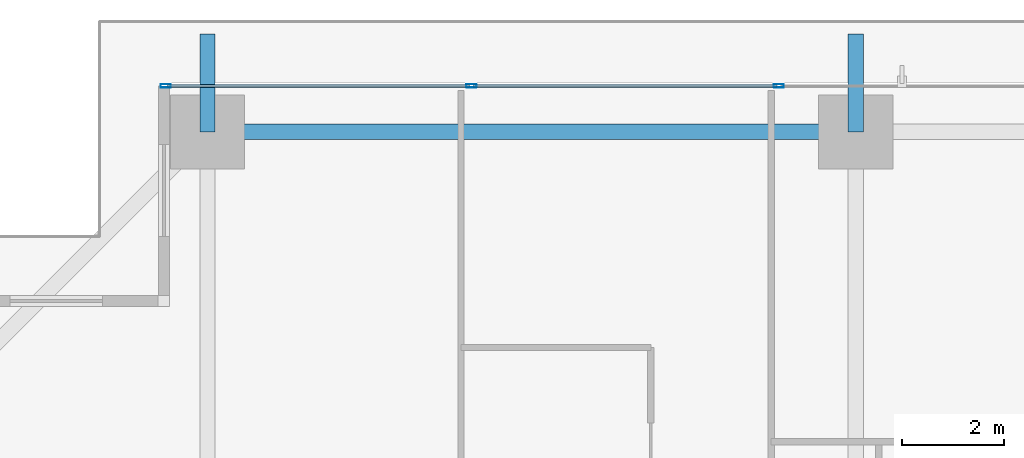
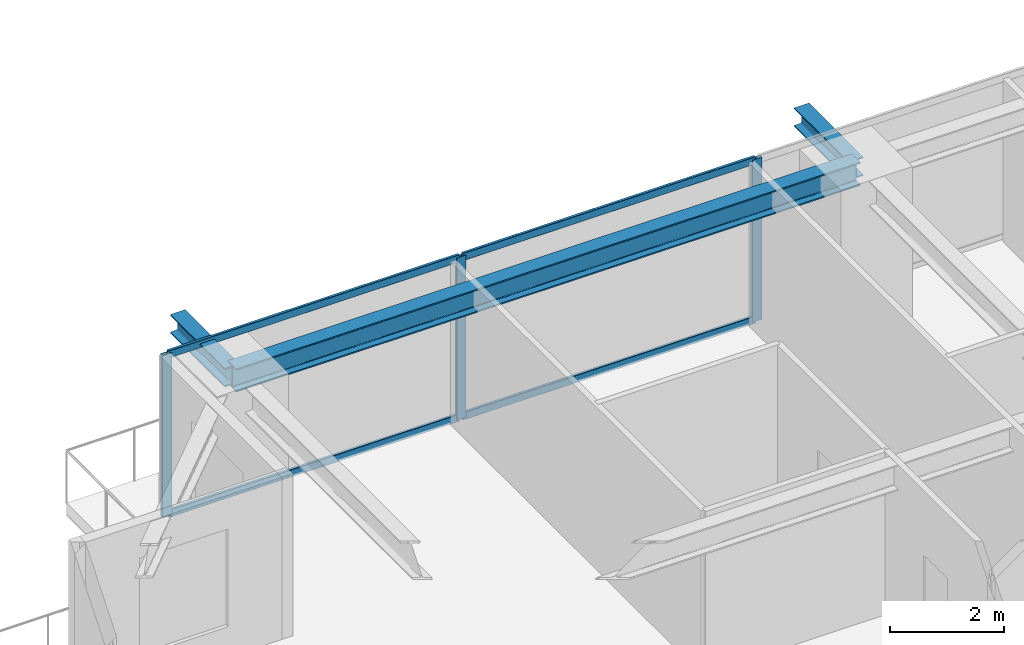
# One storey, part 20 of 41: 7 members, 3 beams, 1 element without a shape of its own.
"""IFC4 building model written with IfcOpenShell, lengths in metres."""

import ifcopenshell
import ifcopenshell.guid

model = None  # the IFC model being written
_history = None  # IfcOwnerHistory: only IFC2X3 demands one
_inside = {}  # id of a spatial element -> (the spatial element, [elements in it])
_under = {}  # id of a project, library or spatial element -> (it, [spatial elements below it])
_declared = {}  # id of a project -> (the project, [libraries it declares])
_typed = {}  # id of a type object -> (the type object, [elements of that type])
_made_of = {}  # id of a material, layer set ... -> (it, [elements and type objects made of it])


def new_model(schema):
    """Start an empty IFC model of exactly this schema.

    Asked for "IFC4X3", IfcOpenShell would pick the latest addendum, in which some entities
    have other attributes; the version numbers below select the first issue.
    IFC2X3 requires an IfcOwnerHistory on every rooted entity: one is made here for all.
    """
    global model, _history
    if schema == "IFC4X3":
        model = ifcopenshell.file(schema_version=(4, 3, 0, 0))
    else:
        model = ifcopenshell.file(schema=schema)
    _inside.clear()
    _under.clear()
    _declared.clear()
    _typed.clear()
    _made_of.clear()
    _history = None
    if model.schema == "IFC2X3":
        org = make("IfcOrganization", Name="unknown")
        user = make(
            "IfcPersonAndOrganization",
            ThePerson=make("IfcPerson", FamilyName="unknown"),
            TheOrganization=org,
        )
        app = make(
            "IfcApplication",
            ApplicationDeveloper=org,
            Version="unknown",
            ApplicationFullName="unknown",
            ApplicationIdentifier="unknown",
        )
        _history = make(
            "IfcOwnerHistory",
            OwningUser=user,
            OwningApplication=app,
            ChangeAction="ADDED",
            CreationDate=0,
        )
    return model


def make(cls, **values):
    """One entity of the class cls with the attributes given. An attribute that is None is left unset."""
    return model.create_entity(
        cls, **{name: value for name, value in values.items() if value is not None}
    )


def rooted(cls, **values):
    """An entity with a GlobalId (a new one), such as an element, a storey or a relation."""
    return make(cls, GlobalId=ifcopenshell.guid.new(), OwnerHistory=_history, **values)


def si_unit(unit_type, name, prefix=None):
    """IfcSIUnit, for example si_unit("LENGTHUNIT", "METRE", prefix="MILLI")."""
    return make("IfcSIUnit", UnitType=unit_type, Prefix=prefix, Name=name)


def assignment(units):
    """IfcUnitAssignment: the units of a project."""
    return None if units is None else make("IfcUnitAssignment", Units=units)


def point(xyz):
    """IfcCartesianPoint."""
    return None if xyz is None else make("IfcCartesianPoint", Coordinates=xyz)


def direction(xyz):
    """IfcDirection."""
    return None if xyz is None else make("IfcDirection", DirectionRatios=xyz)


def frame(location, z_axis=None, x_axis=None):
    """IfcAxis2Placement3D, a coordinate frame: its origin and axes. An axis left out is left unset."""
    return make(
        "IfcAxis2Placement3D",
        Location=point(location),
        Axis=direction(z_axis),
        RefDirection=direction(x_axis),
    )


def frame_2d(location, x_axis=None):
    """IfcAxis2Placement2D, a coordinate frame in the plane: its origin and x axis."""
    return make(
        "IfcAxis2Placement2D", Location=point(location), RefDirection=direction(x_axis)
    )


def origin():
    """The frame at (0, 0, 0) with its axes left unset."""
    return frame((0.0, 0.0, 0.0))


def origin_2d():
    """The frame at (0, 0) in the plane with its x axis left unset."""
    return frame_2d((0.0, 0.0))


def place(relative_to, where):
    """IfcLocalPlacement: puts the frame where relative to a parent placement (None: the world)."""
    return make(
        "IfcLocalPlacement", PlacementRelTo=relative_to, RelativePlacement=where
    )


def context(
    kind, dimensions, precision=None, world=None, true_north=None, identifier=None
):
    """IfcGeometricRepresentationContext, for example the 3D "Model" context."""
    return make(
        "IfcGeometricRepresentationContext",
        ContextIdentifier=identifier,
        ContextType=kind,
        CoordinateSpaceDimension=dimensions,
        Precision=precision,
        WorldCoordinateSystem=world,
        TrueNorth=true_north,
    )


def subcontext(parent, identifier, kind, view, scale=None):
    """IfcGeometricRepresentationSubContext, for example "Body" below "Model"."""
    return make(
        "IfcGeometricRepresentationSubContext",
        ContextIdentifier=identifier,
        ContextType=kind,
        ParentContext=parent,
        TargetScale=scale,
        TargetView=view,
    )


def project(units=None, contexts=None):
    """IfcProject with its units and contexts."""
    return rooted(
        "IfcProject",
        Name="project",
        RepresentationContexts=contexts,
        UnitsInContext=assignment(units),
    )


def spatial(cls, under=None, at=None, **own):
    """A site, building, storey or space (cls), placed at a placement, below another one or the project."""
    s = rooted(cls, ObjectPlacement=at, **own)
    if under is not None:
        _under.setdefault(under.id(), (under, []))[1].append(s)
    return s


def profile(cls, at=None, kind="AREA", **sizes):
    """A parametric profile (cls). Its sizes go by their IFC names, for example OverallWidth=200.0."""
    return make(cls, ProfileType=kind, Position=at, **sizes)


def hollow_rectangle(**sizes):
    """IfcRectangleHollowProfileDef."""
    return profile("IfcRectangleHollowProfileDef", **sizes)


def i_section(**sizes):
    """IfcIShapeProfileDef."""
    return profile("IfcIShapeProfileDef", **sizes)


def extrude(swept, where, along, depth):
    """IfcExtrudedAreaSolid: the profile swept, set in the frame where, extruded along a direction by depth."""
    return make(
        "IfcExtrudedAreaSolid",
        SweptArea=swept,
        Position=where,
        ExtrudedDirection=direction(along),
        Depth=depth,
    )


def shape(context_of_items, identifier, shape_type, items):
    """IfcShapeRepresentation: the items that make up one representation, for example the "Body"."""
    return make(
        "IfcShapeRepresentation",
        ContextOfItems=context_of_items,
        RepresentationIdentifier=identifier,
        RepresentationType=shape_type,
        Items=items,
    )


def source(mapping_origin, context_of_items, identifier, shape_type, items):
    """IfcRepresentationMap: a shape defined once, which mapped items show again and again."""
    return make(
        "IfcRepresentationMap",
        MappingOrigin=mapping_origin,
        MappedRepresentation=shape(context_of_items, identifier, shape_type, items),
    )


def transform(
    local_origin,
    x_axis=None,
    y_axis=None,
    z_axis=None,
    scale=None,
    scale2=None,
    scale3=None,
    uniform=True,
):
    """IfcCartesianTransformationOperator3D, or its non-uniform kind. x_axis, y_axis, z_axis: its Axis1, 2, 3."""
    if uniform:
        return make(
            "IfcCartesianTransformationOperator3D",
            Axis1=direction(x_axis),
            Axis2=direction(y_axis),
            LocalOrigin=point(local_origin),
            Scale=scale,
            Axis3=direction(z_axis),
        )
    return make(
        "IfcCartesianTransformationOperator3DnonUniform",
        Axis1=direction(x_axis),
        Axis2=direction(y_axis),
        LocalOrigin=point(local_origin),
        Scale=scale,
        Axis3=direction(z_axis),
        Scale2=scale2,
        Scale3=scale3,
    )


def mapped(mapping_source, mapping_target):
    """IfcMappedItem: shows the shape of a source again, moved by a transform."""
    return make(
        "IfcMappedItem", MappingSource=mapping_source, MappingTarget=mapping_target
    )


def material(Name=None, Category=None):
    """IfcMaterial."""
    return make("IfcMaterial", Name=Name, Category=Category)


def layer(
    of_material, thickness, ventilated=None, Name=None, Category=None, Priority=None
):
    """IfcMaterialLayer: one layer of a wall or slab, of a material (None: an air gap)."""
    return make(
        "IfcMaterialLayer",
        Material=of_material,
        LayerThickness=thickness,
        IsVentilated=ventilated,
        Name=Name,
        Category=Category,
        Priority=Priority,
    )


def layer_set(layers, Name=None):
    """IfcMaterialLayerSet."""
    return make("IfcMaterialLayerSet", MaterialLayers=layers, LayerSetName=Name)


def material_profile(
    of_material, cross_section, Name=None, Category=None, Priority=None
):
    """IfcMaterialProfile: a cross section and its material."""
    return make(
        "IfcMaterialProfile",
        Name=Name,
        Material=of_material,
        Profile=cross_section,
        Priority=Priority,
        Category=Category,
    )


def profile_set(profiles, Name=None, composite=None):
    """IfcMaterialProfileSet."""
    return make(
        "IfcMaterialProfileSet",
        Name=Name,
        MaterialProfiles=profiles,
        CompositeProfile=composite,
    )


def made_of(thing, what):
    """Note that an element or type object is made of a material, layer set ...; save() writes the relation."""
    if what is not None:
        _made_of.setdefault(what.id(), (what, []))[1].append(thing)
    return thing


def type_object(cls, material=None, **own):
    """A type object (cls), such as IfcWallType, which elements share."""
    return made_of(rooted(cls, **own), material)


def element(
    cls,
    number,
    at=None,
    inside=None,
    cuts=None,
    type_object=None,
    material=None,
    context=None,
    identifier="Body",
    shape_type=None,
    held_by="IfcProductDefinitionShape",
    body=None,
    shapes=None,
    **own,
):
    """One element of the class cls, such as IfcWall. Its Tag is "e" and its number.

    at: its placement. inside: the storey or other place that contains it. cuts: it is an
    opening in that element (IfcRelVoidsElement). A single representation is given by context,
    identifier, shape_type and body (its items); several are given by shapes. held_by: the class
    of the entity that holds the representations. save() writes the other relations.
    """
    e = rooted(cls, Tag="e%d" % number, ObjectPlacement=at, **own)
    if body is not None:
        shapes = [shape(context, identifier, shape_type, body)]
    if shapes is not None:
        e.Representation = make(held_by, Representations=shapes)
    if inside is not None:
        _inside.setdefault(inside.id(), (inside, []))[1].append(e)
    if cuts is not None:
        rooted(
            "IfcRelVoidsElement", RelatingBuildingElement=cuts, RelatedOpeningElement=e
        )
    if type_object is not None:
        _typed.setdefault(type_object.id(), (type_object, []))[1].append(e)
    return made_of(e, material)


def aggregate(whole, parts):
    """IfcRelAggregates: a whole, such as a stair, and the parts it consists of."""
    return rooted("IfcRelAggregates", RelatingObject=whole, RelatedObjects=parts)


def save(model, path):
    """Write the relations noted so far, then the file.

    IfcRelAggregates (storeys below a building ...), IfcRelContainedInSpatialStructure (elements
    in a storey), IfcRelDefinesByType, IfcRelAssociatesMaterial and IfcRelDeclares: one each for
    every whole, place, type object, material and project.
    """
    for whole, parts in _under.values():
        aggregate(whole, parts)
    for where, things in _inside.values():
        rooted(
            "IfcRelContainedInSpatialStructure",
            RelatedElements=things,
            RelatingStructure=where,
        )
    for kind, things in _typed.values():
        rooted("IfcRelDefinesByType", RelatedObjects=things, RelatingType=kind)
    for what, things in _made_of.values():
        rooted("IfcRelAssociatesMaterial", RelatedObjects=things, RelatingMaterial=what)
    for by, libraries in _declared.values():
        rooted("IfcRelDeclares", RelatingContext=by, RelatedDefinitions=libraries)
    model.write(path)


model = new_model("IFC4")

# Units and contexts
model_context = context("Model", 3, precision=1e-05, world=origin(), true_north=direction((0.0, 1.0)))
body_context = subcontext(model_context, "Body", "Model", "MODEL_VIEW")
ifc_project = project(units=[si_unit("LENGTHUNIT", "METRE"), si_unit("AREAUNIT", "SQUARE_METRE"), si_unit("VOLUMEUNIT", "CUBIC_METRE"), si_unit("PLANEANGLEUNIT", "RADIAN"), si_unit("MASSUNIT", "GRAM", prefix="KILO")], contexts=[model_context])

# Site, building, storey
site_placement = place(None, origin())
site = spatial("IfcSite", under=ifc_project, at=site_placement, CompositionType="ELEMENT")
building_placement = place(site_placement, origin())
building = spatial("IfcBuilding", under=site, at=building_placement, Name="Serunith Strait Residences", CompositionType="ELEMENT")
storey_placement = place(building_placement, frame((0.0, 0.0, 75.449951171875)))
storey = spatial("IfcBuildingStorey", under=building, at=storey_placement, Name="L18", CompositionType="ELEMENT", Elevation=75.449951171875)

# Beams
ifc_material_1 = material(Name="Steel S355J2", Category="steel")
ifc_material_profile_1 = material_profile(ifc_material_1, i_section(OverallWidth=0.300048828125, OverallDepth=0.5, WebThickness=0.014404296875, FlangeThickness=0.028076171875, FilletRadius=0.027099609375, at=origin_2d()), Name="HEB 500")
ifc_profile_set_1 = profile_set([ifc_material_profile_1], Name="Steel S355J2")
beam_type_1 = type_object("IfcBeamType", Name="BM-HEB500", PredefinedType="BEAM", material=ifc_profile_set_1)
shared_shape_1 = source(origin(), body_context, "Body", "SweptSolid", [
    extrude(i_section(OverallWidth=0.300048828125, OverallDepth=0.5, WebThickness=0.014404296875, FlangeThickness=0.028076171875, FilletRadius=0.027099609375, at=origin_2d()), origin(), (0.0, 0.0, 1.0), 12.64990234375),
])
beam_placement = place(storey_placement, frame((27.89990234375, 49.300048828125, 3.237060546875), z_axis=(-1.0, 0.0, 0.0), x_axis=(0.0, -1.0, 0.0)))
element("IfcBeam", 1, at=beam_placement, inside=storey, type_object=beam_type_1, Name="L18 Perimeter Ring Beam 11", PredefinedType="BEAM", context=body_context, shape_type="MappedRepresentation", body=[
    mapped(shared_shape_1, transform((0.0, 0.0, 0.0), scale=1.0)),
])
ifc_material_profile_2 = material_profile(ifc_material_1, i_section(OverallWidth=0.300048828125, OverallDepth=0.39990234375, WebThickness=0.013427734375, FlangeThickness=0.02392578125, FilletRadius=0.027099609375, at=origin_2d()), Name="HEB 400")
ifc_profile_set_2 = profile_set([ifc_material_profile_2], Name="Steel S355J2")
beam_type_2 = type_object("IfcBeamType", Name="BM-HEB400", PredefinedType="BEAM", material=ifc_profile_set_2)
shared_shape_2 = source(origin(), body_context, "Body", "SweptSolid", [
    extrude(i_section(OverallWidth=0.300048828125, OverallDepth=0.39990234375, WebThickness=0.013427734375, FlangeThickness=0.02392578125, FilletRadius=0.027099609375, at=origin_2d()), origin(), (0.0, 0.0, 1.0), 1.909912109375),
])
for number, where, z_axis, x_axis, name in (
    (2, (15.25, 49.300048828125, 3.257080078125), (0.0, 1.0, 0.0), (-1.0, 0.0, 0.0), "L19 Cantilevered Balcony Rib TC-N1"),
    (3, (27.89990234375, 49.300048828125, 3.257080078125), (0.0, 1.0, 0.0), (-1.0, 0.0, 0.0), "L19 Cantilevered Balcony Rib TC-N2"),
):
    element("IfcBeam", number, at=place(storey_placement, frame(where, z_axis=z_axis, x_axis=x_axis)), inside=storey, type_object=beam_type_2, Name=name, PredefinedType="BEAM", context=body_context, shape_type="MappedRepresentation", body=[
        mapped(shared_shape_2, transform((0.0, 0.0, 0.0), scale=1.0)),
    ])

# Curtain wall, members
ifc_material_2 = material(Name="Pale-Champagne Anodised Aluminium", Category="aluminium")
ifc_layer = layer(ifc_material_2, 0.199951171875, Name="Pale-Champagne Anodised Aluminium")
ifc_layer_set = layer_set([ifc_layer], Name="Pale-Champagne Anodised Aluminium")
curtain_wall_type = type_object("IfcCurtainWallType", Name="CW-SYS1", PredefinedType="NOTDEFINED", material=ifc_layer_set)
curtain_wall_placement = place(storey_placement, origin())
curtain_wall = element("IfcCurtainWall", 4, at=curtain_wall_placement, inside=storey, type_object=curtain_wall_type, Name="L18 N Unitised Fritted Curtain Wall", PredefinedType="NOTDEFINED")
ifc_material_profile_3 = material_profile(ifc_material_2, hollow_rectangle(XDim=0.070068359375, YDim=0.199951171875, WallThickness=0.00390625, InnerFilletRadius=0.006103515625, OuterFilletRadius=0.010009765625, at=origin_2d()), Name="ALU 200x70x4")
ifc_profile_set_3 = profile_set([ifc_material_profile_3], Name="Pale-Champagne Anodised Aluminium")
member_type_1 = type_object("IfcMemberType", Name="CW-SYS1-MULL", PredefinedType="MULLION", material=ifc_profile_set_3)
shared_shape_3 = source(origin(), body_context, "Body", "SweptSolid", [
    extrude(hollow_rectangle(XDim=0.070068359375, YDim=0.199951171875, WallThickness=0.00390625, InnerFilletRadius=0.006103515625, OuterFilletRadius=0.010009765625, at=origin_2d()), origin(), (0.0, 0.0, 1.0), 3.47509765625),
])
member_1_placement = place(storey_placement, frame((26.39990234375, 50.199951171875, 0.0), z_axis=(0.0, 0.0, 1.0), x_axis=(0.0, -1.0, 0.0)))
member_1 = element("IfcMember", 5, at=member_1_placement, type_object=member_type_1, Name="CW-1 mullion 5", PredefinedType="MULLION", context=body_context, shape_type="MappedRepresentation", body=[
    mapped(shared_shape_3, transform((0.0, 0.0, 0.0), scale=1.0)),
])
member_2_placement = place(storey_placement, frame((20.39990234375, 50.199951171875, 0.0), z_axis=(0.0, 0.0, 1.0), x_axis=(0.0, -1.0, 0.0)))
member_2 = element("IfcMember", 6, at=member_2_placement, type_object=member_type_1, Name="CW-1 mullion 6", PredefinedType="MULLION", context=body_context, shape_type="MappedRepresentation", body=[
    mapped(shared_shape_3, transform((0.0, 0.0, 0.0), scale=1.0)),
])
member_3_placement = place(storey_placement, frame((14.43505859375, 50.199951171875, 0.0), z_axis=(0.0, 0.0, 1.0), x_axis=(0.0, -1.0, 0.0)))
member_3 = element("IfcMember", 7, at=member_3_placement, type_object=member_type_1, Name="CW-1 mullion 7", PredefinedType="MULLION", context=body_context, shape_type="MappedRepresentation", body=[
    mapped(shared_shape_3, transform((0.0, 0.0, 0.0), scale=1.0)),
])
ifc_material_profile_4 = material_profile(ifc_material_2, hollow_rectangle(XDim=0.06005859375, YDim=0.159912109375, WallThickness=0.00341796875, InnerFilletRadius=0.00537109375, OuterFilletRadius=0.0087890625, at=origin_2d()), Name="ALU 160x60x3.5")
ifc_profile_set_4 = profile_set([ifc_material_profile_4], Name="Pale-Champagne Anodised Aluminium")
member_type_2 = type_object("IfcMemberType", Name="CW-SYS1-TRAN", PredefinedType="USERDEFINED", material=ifc_profile_set_4)
shared_shape_4 = source(origin(), body_context, "Body", "SweptSolid", [
    extrude(hollow_rectangle(XDim=0.06005859375, YDim=0.159912109375, WallThickness=0.00341796875, InnerFilletRadius=0.00537109375, OuterFilletRadius=0.0087890625, at=origin_2d()), origin(), (0.0, 0.0, 1.0), 5.89501953125),
])
member_4_placement = place(storey_placement, frame((20.364990234375, 50.199951171875, 0.030029296875), z_axis=(-1.0, 0.0, 0.0), x_axis=(0.0, -1.0, 0.0)))
member_4 = element("IfcMember", 8, at=member_4_placement, type_object=member_type_2, Name="CW-1 transom 6.1", ObjectType="TRANSOM", PredefinedType="USERDEFINED", context=body_context, shape_type="MappedRepresentation", body=[
    mapped(shared_shape_4, transform((0.0, 0.0, 0.0), scale=1.0)),
])
member_5_placement = place(storey_placement, frame((20.364990234375, 50.199951171875, 3.445068359375), z_axis=(-1.0, 0.0, 0.0), x_axis=(0.0, -1.0, 0.0)))
member_5 = element("IfcMember", 9, at=member_5_placement, type_object=member_type_2, Name="CW-1 transom 6.2", ObjectType="TRANSOM", PredefinedType="USERDEFINED", context=body_context, shape_type="MappedRepresentation", body=[
    mapped(shared_shape_4, transform((0.0, 0.0, 0.0), scale=1.0)),
])
shared_shape_5 = source(origin(), body_context, "Body", "SweptSolid", [
    extrude(hollow_rectangle(XDim=0.06005859375, YDim=0.159912109375, WallThickness=0.00341796875, InnerFilletRadius=0.00537109375, OuterFilletRadius=0.0087890625, at=origin_2d()), origin(), (0.0, 0.0, 1.0), 5.929931640625),
])
member_6_placement = place(storey_placement, frame((26.364990234375, 50.199951171875, 0.030029296875), z_axis=(-1.0, 0.0, 0.0), x_axis=(0.0, -1.0, 0.0)))
member_6 = element("IfcMember", 10, at=member_6_placement, type_object=member_type_2, Name="CW-1 transom 5.1", ObjectType="TRANSOM", PredefinedType="USERDEFINED", context=body_context, shape_type="MappedRepresentation", body=[
    mapped(shared_shape_5, transform((0.0, 0.0, 0.0), scale=1.0)),
])
member_7_placement = place(storey_placement, frame((26.364990234375, 50.199951171875, 3.445068359375), z_axis=(-1.0, 0.0, 0.0), x_axis=(0.0, -1.0, 0.0)))
member_7 = element("IfcMember", 11, at=member_7_placement, type_object=member_type_2, Name="CW-1 transom 5.2", ObjectType="TRANSOM", PredefinedType="USERDEFINED", context=body_context, shape_type="MappedRepresentation", body=[
    mapped(shared_shape_5, transform((0.0, 0.0, 0.0), scale=1.0)),
])
aggregate(curtain_wall, [member_1, member_2, member_3, member_6, member_7, member_4, member_5])

save(model, "model.ifc")
